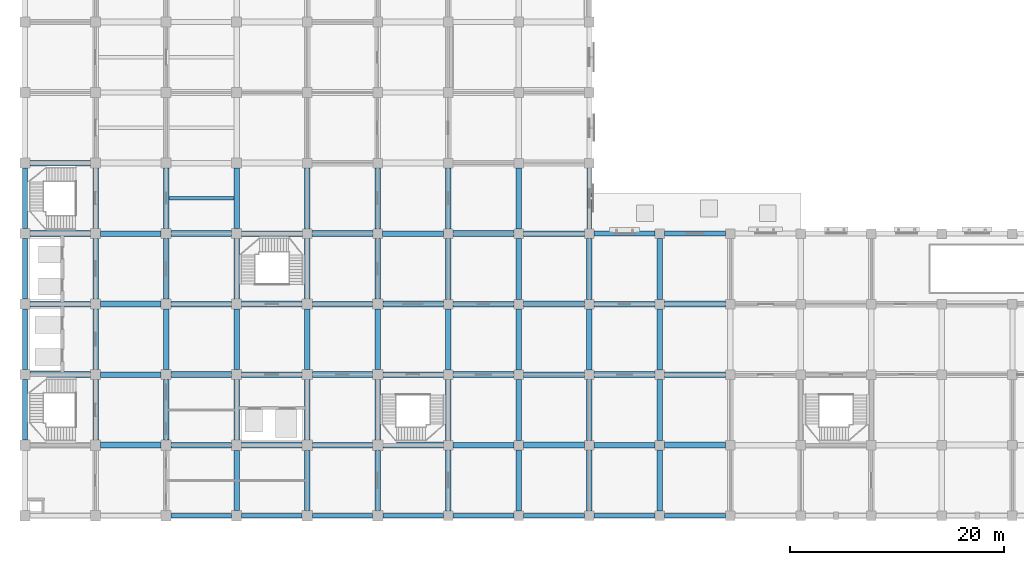
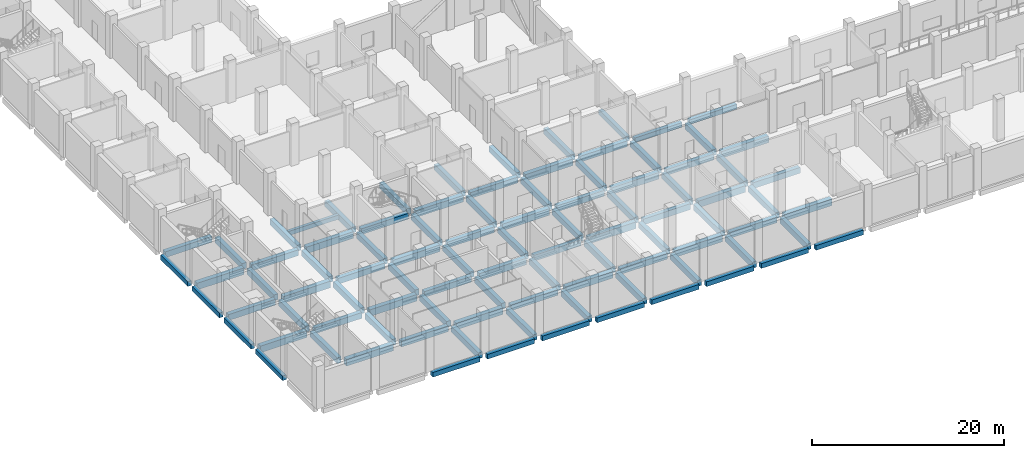
# One storey, part 2 of 28: 95 beams.
"""IFC4 building model written with IfcOpenShell, lengths in metres."""

from ifc_helpers import new_model, si_unit, direction, frame, origin, origin_2d, place, context, subcontext, project, spatial, rectangle, extrude, material, material_profile, profile_set, type_object, element, save


model = new_model("IFC4")

# Units and contexts
model_context = context("Model", 3, precision=1e-05, world=origin(), true_north=direction((0.0, 1.0)))
body_context = subcontext(model_context, "Body", "Model", "MODEL_VIEW")
ifc_project = project(units=[si_unit("LENGTHUNIT", "METRE"), si_unit("AREAUNIT", "SQUARE_METRE"), si_unit("VOLUMEUNIT", "CUBIC_METRE"), si_unit("PLANEANGLEUNIT", "RADIAN"), si_unit("MASSUNIT", "GRAM", prefix="KILO")], contexts=[model_context])

# Site, building, storey
site_placement = place(None, origin())
site = spatial("IfcSite", under=ifc_project, at=site_placement, CompositionType="ELEMENT")
building_placement = place(site_placement, origin())
building = spatial("IfcBuilding", under=site, at=building_placement, Name="Rusizi Kubbe Research Institute", CompositionType="ELEMENT")
storey_placement = place(building_placement, origin())
storey = spatial("IfcBuildingStorey", under=building, at=storey_placement, Name="L00", CompositionType="ELEMENT", Elevation=0.0)

# Beams
ifc_material_1 = material(Name="Concrete C40/50", Category="concrete")
ifc_material_profile_1 = material_profile(ifc_material_1, rectangle(XDim=0.35009765625, YDim=0.550048828125, at=origin_2d()), Name="RC350x550")
ifc_profile_set_1 = profile_set([ifc_material_profile_1], Name="Concrete C40/50")
beam_type_1 = type_object("IfcBeamType", Name="BM-RC350x550", PredefinedType="JOIST", material=ifc_profile_set_1)
beam_1_placement = place(storey_placement, frame((13.449951171875, 29.699951171875, -0.68505859375), z_axis=(1.0, 0.0, 0.0), x_axis=(0.0, 1.0, 0.0)))
element("IfcBeam", 1, at=beam_1_placement, inside=storey, type_object=beam_type_1, Name="Lab Stiffener Joist L00 (2,4)", PredefinedType="JOIST", context=body_context, shape_type="SweptSolid", body=[
    extrude(rectangle(XDim=0.35009765625, YDim=0.550048828125, at=origin_2d()), origin(), (0.0, 0.0, 1.0), 6.10009765625),
])
ifc_material_2 = material(Name="Concrete C40/50", Category="concrete")
ifc_material_profile_2 = material_profile(ifc_material_2, rectangle(XDim=0.449951171875, YDim=0.60009765625, at=origin_2d()), Name="RC450x600")
ifc_profile_set_2 = profile_set([ifc_material_profile_2], Name="Concrete C40/50")
beam_type_2 = type_object("IfcBeamType", Name="BM-RC450x600", PredefinedType="SPANDREL", material=ifc_profile_set_2)
beam_2_placement = place(storey_placement, frame((13.675048828125, 0.0, -0.7099609375), z_axis=(1.0, 0.0, 0.0), x_axis=(0.0, 1.0, 0.0)))
element("IfcBeam", 2, at=beam_2_placement, inside=storey, type_object=beam_type_2, Name="Grid Beam H L00 (2,0)", PredefinedType="SPANDREL", context=body_context, shape_type="SweptSolid", body=[
    extrude(rectangle(XDim=0.449951171875, YDim=0.60009765625, at=origin_2d()), origin(), (0.0, 0.0, 1.0), 5.64990234375),
])
beam_3_placement = place(storey_placement, frame((20.27490234375, 0.0, -0.7099609375), z_axis=(1.0, 0.0, 0.0), x_axis=(0.0, 1.0, 0.0)))
element("IfcBeam", 3, at=beam_3_placement, inside=storey, type_object=beam_type_2, Name="Grid Beam H L00 (3,0)", PredefinedType="SPANDREL", context=body_context, shape_type="SweptSolid", body=[
    extrude(rectangle(XDim=0.449951171875, YDim=0.60009765625, at=origin_2d()), origin(), (0.0, 0.0, 1.0), 5.650146484375),
])
beam_4_placement = place(storey_placement, frame((26.875, 0.0, -0.7099609375), z_axis=(1.0, 0.0, 0.0), x_axis=(0.0, 1.0, 0.0)))
element("IfcBeam", 4, at=beam_4_placement, inside=storey, type_object=beam_type_2, Name="Grid Beam H L00 (4,0)", PredefinedType="SPANDREL", context=body_context, shape_type="SweptSolid", body=[
    extrude(rectangle(XDim=0.449951171875, YDim=0.60009765625, at=origin_2d()), origin(), (0.0, 0.0, 1.0), 5.64990234375),
])
beam_5_placement = place(storey_placement, frame((33.47509765625, 0.0, -0.7099609375), z_axis=(1.0, 0.0, 0.0), x_axis=(0.0, 1.0, 0.0)))
element("IfcBeam", 5, at=beam_5_placement, inside=storey, type_object=beam_type_2, Name="Grid Beam H L00 (5,0)", PredefinedType="SPANDREL", context=body_context, shape_type="SweptSolid", body=[
    extrude(rectangle(XDim=0.449951171875, YDim=0.60009765625, at=origin_2d()), origin(), (0.0, 0.0, 1.0), 5.6748046875),
])
beam_6_placement = place(storey_placement, frame((40.050048828125, 0.0, -0.7099609375), z_axis=(1.0, 0.0, 0.0), x_axis=(0.0, 1.0, 0.0)))
element("IfcBeam", 6, at=beam_6_placement, inside=storey, type_object=beam_type_2, Name="Grid Beam H L00 (6,0)", PredefinedType="SPANDREL", context=body_context, shape_type="SweptSolid", body=[
    extrude(rectangle(XDim=0.449951171875, YDim=0.60009765625, at=origin_2d()), origin(), (0.0, 0.0, 1.0), 5.699951171875),
])
beam_7_placement = place(storey_placement, frame((46.64990234375, 0.0, -0.7099609375), z_axis=(1.0, 0.0, 0.0), x_axis=(0.0, 1.0, 0.0)))
element("IfcBeam", 7, at=beam_7_placement, inside=storey, type_object=beam_type_2, Name="Grid Beam H L00 (7,0)", PredefinedType="SPANDREL", context=body_context, shape_type="SweptSolid", body=[
    extrude(rectangle(XDim=0.449951171875, YDim=0.60009765625, at=origin_2d()), origin(), (0.0, 0.0, 1.0), 5.7001953125),
])
for number, where, z_axis, x_axis, name in (
    (8, (53.25, 0.0, -0.7099609375), (1.0, 0.0, 0.0), (0.0, 1.0, 0.0), "Grid Beam H L00 (8,0)"),
    (9, (53.25, 26.39990234375, -0.7099609375), (1.0, 0.0, 0.0), (0.0, 1.0, 0.0), "Grid Beam H L00 (8,4)"),
    (10, (59.85009765625, 0.0, -0.7099609375), (1.0, 0.0, 0.0), (0.0, 1.0, 0.0), "Grid Beam H L00 (9,0)"),
    (11, (59.85009765625, 26.39990234375, -0.7099609375), (1.0, 0.0, 0.0), (0.0, 1.0, 0.0), "Grid Beam H L00 (9,4)"),
):
    element("IfcBeam", number, at=place(storey_placement, frame(where, z_axis=z_axis, x_axis=x_axis)), inside=storey, type_object=beam_type_2, Name=name, PredefinedType="SPANDREL", context=body_context, shape_type="SweptSolid", body=[
        extrude(rectangle(XDim=0.449951171875, YDim=0.60009765625, at=origin_2d()), origin(), (0.0, 0.0, 1.0), 5.699951171875),
    ])
beam_8_placement = place(storey_placement, frame((0.0, 7.074951171875, -0.7099609375), z_axis=(0.0, 1.0, 0.0), x_axis=(-1.0, 0.0, 0.0)))
element("IfcBeam", 12, at=beam_8_placement, inside=storey, type_object=beam_type_2, Name="Grid Beam V L00 (0,1)", PredefinedType="SPANDREL", context=body_context, shape_type="SweptSolid", body=[
    extrude(rectangle(XDim=0.449951171875, YDim=0.60009765625, at=origin_2d()), origin(), (0.0, 0.0, 1.0), 5.650146484375),
])
beam_9_placement = place(storey_placement, frame((0.0, 13.675048828125, -0.7099609375), z_axis=(0.0, 1.0, 0.0), x_axis=(-1.0, 0.0, 0.0)))
element("IfcBeam", 13, at=beam_9_placement, inside=storey, type_object=beam_type_2, Name="Grid Beam V L00 (0,2)", PredefinedType="SPANDREL", context=body_context, shape_type="SweptSolid", body=[
    extrude(rectangle(XDim=0.449951171875, YDim=0.60009765625, at=origin_2d()), origin(), (0.0, 0.0, 1.0), 5.64990234375),
])
beam_10_placement = place(storey_placement, frame((0.0, 20.27490234375, -0.7099609375), z_axis=(0.0, 1.0, 0.0), x_axis=(-1.0, 0.0, 0.0)))
element("IfcBeam", 14, at=beam_10_placement, inside=storey, type_object=beam_type_2, Name="Grid Beam V L00 (0,3)", PredefinedType="SPANDREL", context=body_context, shape_type="SweptSolid", body=[
    extrude(rectangle(XDim=0.449951171875, YDim=0.60009765625, at=origin_2d()), origin(), (0.0, 0.0, 1.0), 5.650146484375),
])
beam_11_placement = place(storey_placement, frame((0.0, 26.875, -0.7099609375), z_axis=(0.0, 1.0, 0.0), x_axis=(-1.0, 0.0, 0.0)))
element("IfcBeam", 15, at=beam_11_placement, inside=storey, type_object=beam_type_2, Name="Grid Beam V L00 (0,4)", PredefinedType="SPANDREL", context=body_context, shape_type="SweptSolid", body=[
    extrude(rectangle(XDim=0.449951171875, YDim=0.60009765625, at=origin_2d()), origin(), (0.0, 0.0, 1.0), 5.64990234375),
])
beam_12_placement = place(storey_placement, frame((52.800048828125, 26.85009765625, -0.7099609375), z_axis=(0.0, 1.0, 0.0), x_axis=(-1.0, 0.0, 0.0)))
element("IfcBeam", 16, at=beam_12_placement, inside=storey, type_object=beam_type_2, Name="Grid Beam V L00 (8,4)", PredefinedType="SPANDREL", context=body_context, shape_type="SweptSolid", body=[
    extrude(rectangle(XDim=0.449951171875, YDim=0.60009765625, at=origin_2d()), origin(), (0.0, 0.0, 1.0), 5.699951171875),
])
ifc_material_3 = material(Name="Concrete C45/55", Category="concrete")
ifc_material_profile_3 = material_profile(ifc_material_3, rectangle(XDim=0.5, YDim=0.75, at=origin_2d()), Name="RC500x750B")
ifc_profile_set_3 = profile_set([ifc_material_profile_3], Name="Concrete C45/55")
beam_type_3 = type_object("IfcBeamType", Name="BM-RC500x750", PredefinedType="BEAM", material=ifc_profile_set_3)
for number, where, z_axis, x_axis, name in (
    (17, (0.47509765625, 19.800048828125, -0.784912109375), (1.0, 0.0, 0.0), (0.0, 1.0, 0.0), "Grid Beam H L00 (0,3)"),
    (18, (0.47509765625, 33.0, -0.784912109375), (1.0, 0.0, 0.0), (0.0, 1.0, 0.0), "Grid Beam H L00 (0,5)"),
):
    element("IfcBeam", number, at=place(storey_placement, frame(where, z_axis=z_axis, x_axis=x_axis)), inside=storey, type_object=beam_type_3, Name=name, PredefinedType="BEAM", context=body_context, shape_type="SweptSolid", body=[
        extrude(rectangle(XDim=0.5, YDim=0.75, at=origin_2d()), origin(), (0.0, 0.0, 1.0), 5.64990234375),
    ])
for number, where, z_axis, x_axis, name in (
    (19, (7.074951171875, 13.199951171875, -0.784912109375), (1.0, 0.0, 0.0), (0.0, 1.0, 0.0), "Grid Beam H L00 (1,2)"),
    (20, (7.074951171875, 26.39990234375, -0.784912109375), (1.0, 0.0, 0.0), (0.0, 1.0, 0.0), "Grid Beam H L00 (1,4)"),
):
    element("IfcBeam", number, at=place(storey_placement, frame(where, z_axis=z_axis, x_axis=x_axis)), inside=storey, type_object=beam_type_3, Name=name, PredefinedType="BEAM", context=body_context, shape_type="SweptSolid", body=[
        extrude(rectangle(XDim=0.5, YDim=0.75, at=origin_2d()), origin(), (0.0, 0.0, 1.0), 5.650146484375),
    ])
for number, where, z_axis, x_axis, name in (
    (21, (13.675048828125, 6.60009765625, -0.784912109375), (1.0, 0.0, 0.0), (0.0, 1.0, 0.0), "Grid Beam H L00 (2,1)"),
    (22, (13.675048828125, 19.800048828125, -0.784912109375), (1.0, 0.0, 0.0), (0.0, 1.0, 0.0), "Grid Beam H L00 (2,3)"),
):
    element("IfcBeam", number, at=place(storey_placement, frame(where, z_axis=z_axis, x_axis=x_axis)), inside=storey, type_object=beam_type_3, Name=name, PredefinedType="BEAM", context=body_context, shape_type="SweptSolid", body=[
        extrude(rectangle(XDim=0.5, YDim=0.75, at=origin_2d()), origin(), (0.0, 0.0, 1.0), 5.64990234375),
    ])
beam_13_placement = place(storey_placement, frame((20.27490234375, 13.199951171875, -0.784912109375), z_axis=(1.0, 0.0, 0.0), x_axis=(0.0, 1.0, 0.0)))
element("IfcBeam", 23, at=beam_13_placement, inside=storey, type_object=beam_type_3, Name="Grid Beam H L00 (3,2)", PredefinedType="BEAM", context=body_context, shape_type="SweptSolid", body=[
    extrude(rectangle(XDim=0.5, YDim=0.75, at=origin_2d()), origin(), (0.0, 0.0, 1.0), 5.650146484375),
])
beam_14_placement = place(storey_placement, frame((20.27490234375, 26.39990234375, -0.784912109375), z_axis=(1.0, 0.0, 0.0), x_axis=(0.0, 1.0, 0.0)))
element("IfcBeam", 24, at=beam_14_placement, inside=storey, type_object=beam_type_3, Name="Grid Beam H L00 (3,4)", PredefinedType="BEAM", context=body_context, shape_type="SweptSolid", body=[
    extrude(rectangle(XDim=0.5, YDim=0.75, at=origin_2d()), origin(), (0.0, 0.0, 1.0), 5.675048828125),
])
for number, where, z_axis, x_axis, name in (
    (25, (26.875, 6.60009765625, -0.784912109375), (1.0, 0.0, 0.0), (0.0, 1.0, 0.0), "Grid Beam H L00 (4,1)"),
    (26, (26.875, 19.800048828125, -0.784912109375), (1.0, 0.0, 0.0), (0.0, 1.0, 0.0), "Grid Beam H L00 (4,3)"),
):
    element("IfcBeam", number, at=place(storey_placement, frame(where, z_axis=z_axis, x_axis=x_axis)), inside=storey, type_object=beam_type_3, Name=name, PredefinedType="BEAM", context=body_context, shape_type="SweptSolid", body=[
        extrude(rectangle(XDim=0.5, YDim=0.75, at=origin_2d()), origin(), (0.0, 0.0, 1.0), 5.64990234375),
    ])
beam_15_placement = place(storey_placement, frame((33.47509765625, 13.199951171875, -0.784912109375), z_axis=(1.0, 0.0, 0.0), x_axis=(0.0, 1.0, 0.0)))
element("IfcBeam", 27, at=beam_15_placement, inside=storey, type_object=beam_type_3, Name="Grid Beam H L00 (5,2)", PredefinedType="BEAM", context=body_context, shape_type="SweptSolid", body=[
    extrude(rectangle(XDim=0.5, YDim=0.75, at=origin_2d()), origin(), (0.0, 0.0, 1.0), 5.6748046875),
])
for number, where, z_axis, x_axis, name in (
    (28, (33.449951171875, 26.39990234375, -0.784912109375), (1.0, 0.0, 0.0), (0.0, 1.0, 0.0), "Grid Beam H L00 (5,4)"),
    (29, (40.050048828125, 6.60009765625, -0.784912109375), (1.0, 0.0, 0.0), (0.0, 1.0, 0.0), "Grid Beam H L00 (6,1)"),
    (30, (40.050048828125, 19.800048828125, -0.784912109375), (1.0, 0.0, 0.0), (0.0, 1.0, 0.0), "Grid Beam H L00 (6,3)"),
):
    element("IfcBeam", number, at=place(storey_placement, frame(where, z_axis=z_axis, x_axis=x_axis)), inside=storey, type_object=beam_type_3, Name=name, PredefinedType="BEAM", context=body_context, shape_type="SweptSolid", body=[
        extrude(rectangle(XDim=0.5, YDim=0.75, at=origin_2d()), origin(), (0.0, 0.0, 1.0), 5.699951171875),
    ])
for number, where, z_axis, x_axis, name in (
    (31, (46.64990234375, 13.199951171875, -0.784912109375), (1.0, 0.0, 0.0), (0.0, 1.0, 0.0), "Grid Beam H L00 (7,2)"),
    (32, (46.64990234375, 26.39990234375, -0.784912109375), (1.0, 0.0, 0.0), (0.0, 1.0, 0.0), "Grid Beam H L00 (7,4)"),
):
    element("IfcBeam", number, at=place(storey_placement, frame(where, z_axis=z_axis, x_axis=x_axis)), inside=storey, type_object=beam_type_3, Name=name, PredefinedType="BEAM", context=body_context, shape_type="SweptSolid", body=[
        extrude(rectangle(XDim=0.5, YDim=0.75, at=origin_2d()), origin(), (0.0, 0.0, 1.0), 5.7001953125),
    ])
for number, where, z_axis, x_axis, name in (
    (33, (53.25, 6.60009765625, -0.784912109375), (1.0, 0.0, 0.0), (0.0, 1.0, 0.0), "Grid Beam H L00 (8,1)"),
    (34, (53.25, 19.800048828125, -0.784912109375), (1.0, 0.0, 0.0), (0.0, 1.0, 0.0), "Grid Beam H L00 (8,3)"),
    (35, (59.85009765625, 13.199951171875, -0.784912109375), (1.0, 0.0, 0.0), (0.0, 1.0, 0.0), "Grid Beam H L00 (9,2)"),
):
    element("IfcBeam", number, at=place(storey_placement, frame(where, z_axis=z_axis, x_axis=x_axis)), inside=storey, type_object=beam_type_3, Name=name, PredefinedType="BEAM", context=body_context, shape_type="SweptSolid", body=[
        extrude(rectangle(XDim=0.5, YDim=0.75, at=origin_2d()), origin(), (0.0, 0.0, 1.0), 5.699951171875),
    ])
beam_16_placement = place(storey_placement, frame((6.60009765625, 7.074951171875, -0.784912109375), z_axis=(0.0, 1.0, 0.0), x_axis=(-1.0, 0.0, 0.0)))
element("IfcBeam", 36, at=beam_16_placement, inside=storey, type_object=beam_type_3, Name="Grid Beam V L00 (1,1)", PredefinedType="BEAM", context=body_context, shape_type="SweptSolid", body=[
    extrude(rectangle(XDim=0.5, YDim=0.75, at=origin_2d()), origin(), (0.0, 0.0, 1.0), 5.650146484375),
])
beam_17_placement = place(storey_placement, frame((6.60009765625, 13.675048828125, -0.784912109375), z_axis=(0.0, 1.0, 0.0), x_axis=(-1.0, 0.0, 0.0)))
element("IfcBeam", 37, at=beam_17_placement, inside=storey, type_object=beam_type_3, Name="Grid Beam V L00 (1,2)", PredefinedType="BEAM", context=body_context, shape_type="SweptSolid", body=[
    extrude(rectangle(XDim=0.5, YDim=0.75, at=origin_2d()), origin(), (0.0, 0.0, 1.0), 5.64990234375),
])
beam_18_placement = place(storey_placement, frame((6.60009765625, 20.27490234375, -0.784912109375), z_axis=(0.0, 1.0, 0.0), x_axis=(-1.0, 0.0, 0.0)))
element("IfcBeam", 38, at=beam_18_placement, inside=storey, type_object=beam_type_3, Name="Grid Beam V L00 (1,3)", PredefinedType="BEAM", context=body_context, shape_type="SweptSolid", body=[
    extrude(rectangle(XDim=0.5, YDim=0.75, at=origin_2d()), origin(), (0.0, 0.0, 1.0), 5.650146484375),
])
beam_19_placement = place(storey_placement, frame((6.60009765625, 26.875, -0.784912109375), z_axis=(0.0, 1.0, 0.0), x_axis=(-1.0, 0.0, 0.0)))
element("IfcBeam", 39, at=beam_19_placement, inside=storey, type_object=beam_type_3, Name="Grid Beam V L00 (1,4)", PredefinedType="BEAM", context=body_context, shape_type="SweptSolid", body=[
    extrude(rectangle(XDim=0.5, YDim=0.75, at=origin_2d()), origin(), (0.0, 0.0, 1.0), 5.64990234375),
])
beam_20_placement = place(storey_placement, frame((13.199951171875, 7.074951171875, -0.784912109375), z_axis=(0.0, 1.0, 0.0), x_axis=(-1.0, 0.0, 0.0)))
element("IfcBeam", 40, at=beam_20_placement, inside=storey, type_object=beam_type_3, Name="Grid Beam V L00 (2,1)", PredefinedType="BEAM", context=body_context, shape_type="SweptSolid", body=[
    extrude(rectangle(XDim=0.5, YDim=0.75, at=origin_2d()), origin(), (0.0, 0.0, 1.0), 5.650146484375),
])
beam_21_placement = place(storey_placement, frame((13.199951171875, 13.675048828125, -0.784912109375), z_axis=(0.0, 1.0, 0.0), x_axis=(-1.0, 0.0, 0.0)))
element("IfcBeam", 41, at=beam_21_placement, inside=storey, type_object=beam_type_3, Name="Grid Beam V L00 (2,2)", PredefinedType="BEAM", context=body_context, shape_type="SweptSolid", body=[
    extrude(rectangle(XDim=0.5, YDim=0.75, at=origin_2d()), origin(), (0.0, 0.0, 1.0), 5.64990234375),
])
beam_22_placement = place(storey_placement, frame((13.199951171875, 20.27490234375, -0.784912109375), z_axis=(0.0, 1.0, 0.0), x_axis=(-1.0, 0.0, 0.0)))
element("IfcBeam", 42, at=beam_22_placement, inside=storey, type_object=beam_type_3, Name="Grid Beam V L00 (2,3)", PredefinedType="BEAM", context=body_context, shape_type="SweptSolid", body=[
    extrude(rectangle(XDim=0.5, YDim=0.75, at=origin_2d()), origin(), (0.0, 0.0, 1.0), 5.650146484375),
])
for number, where, z_axis, x_axis, name in (
    (43, (13.199951171875, 26.875, -0.784912109375), (0.0, 1.0, 0.0), (-1.0, 0.0, 0.0), "Grid Beam V L00 (2,4)"),
    (44, (19.800048828125, 0.47509765625, -0.784912109375), (0.0, 1.0, 0.0), (-1.0, 0.0, 0.0), "Grid Beam V L00 (3,0)"),
):
    element("IfcBeam", number, at=place(storey_placement, frame(where, z_axis=z_axis, x_axis=x_axis)), inside=storey, type_object=beam_type_3, Name=name, PredefinedType="BEAM", context=body_context, shape_type="SweptSolid", body=[
        extrude(rectangle(XDim=0.5, YDim=0.75, at=origin_2d()), origin(), (0.0, 0.0, 1.0), 5.64990234375),
    ])
beam_23_placement = place(storey_placement, frame((19.800048828125, 7.074951171875, -0.784912109375), z_axis=(0.0, 1.0, 0.0), x_axis=(-1.0, 0.0, 0.0)))
element("IfcBeam", 45, at=beam_23_placement, inside=storey, type_object=beam_type_3, Name="Grid Beam V L00 (3,1)", PredefinedType="BEAM", context=body_context, shape_type="SweptSolid", body=[
    extrude(rectangle(XDim=0.5, YDim=0.75, at=origin_2d()), origin(), (0.0, 0.0, 1.0), 5.650146484375),
])
beam_24_placement = place(storey_placement, frame((19.800048828125, 13.675048828125, -0.784912109375), z_axis=(0.0, 1.0, 0.0), x_axis=(-1.0, 0.0, 0.0)))
element("IfcBeam", 46, at=beam_24_placement, inside=storey, type_object=beam_type_3, Name="Grid Beam V L00 (3,2)", PredefinedType="BEAM", context=body_context, shape_type="SweptSolid", body=[
    extrude(rectangle(XDim=0.5, YDim=0.75, at=origin_2d()), origin(), (0.0, 0.0, 1.0), 5.64990234375),
])
beam_25_placement = place(storey_placement, frame((19.800048828125, 20.27490234375, -0.784912109375), z_axis=(0.0, 1.0, 0.0), x_axis=(-1.0, 0.0, 0.0)))
element("IfcBeam", 47, at=beam_25_placement, inside=storey, type_object=beam_type_3, Name="Grid Beam V L00 (3,3)", PredefinedType="BEAM", context=body_context, shape_type="SweptSolid", body=[
    extrude(rectangle(XDim=0.5, YDim=0.75, at=origin_2d()), origin(), (0.0, 0.0, 1.0), 5.650146484375),
])
for number, where, z_axis, x_axis, name in (
    (48, (19.800048828125, 26.875, -0.784912109375), (0.0, 1.0, 0.0), (-1.0, 0.0, 0.0), "Grid Beam V L00 (3,4)"),
    (49, (26.39990234375, 0.47509765625, -0.784912109375), (0.0, 1.0, 0.0), (-1.0, 0.0, 0.0), "Grid Beam V L00 (4,0)"),
):
    element("IfcBeam", number, at=place(storey_placement, frame(where, z_axis=z_axis, x_axis=x_axis)), inside=storey, type_object=beam_type_3, Name=name, PredefinedType="BEAM", context=body_context, shape_type="SweptSolid", body=[
        extrude(rectangle(XDim=0.5, YDim=0.75, at=origin_2d()), origin(), (0.0, 0.0, 1.0), 5.64990234375),
    ])
beam_26_placement = place(storey_placement, frame((26.39990234375, 7.074951171875, -0.784912109375), z_axis=(0.0, 1.0, 0.0), x_axis=(-1.0, 0.0, 0.0)))
element("IfcBeam", 50, at=beam_26_placement, inside=storey, type_object=beam_type_3, Name="Grid Beam V L00 (4,1)", PredefinedType="BEAM", context=body_context, shape_type="SweptSolid", body=[
    extrude(rectangle(XDim=0.5, YDim=0.75, at=origin_2d()), origin(), (0.0, 0.0, 1.0), 5.650146484375),
])
beam_27_placement = place(storey_placement, frame((26.39990234375, 13.675048828125, -0.784912109375), z_axis=(0.0, 1.0, 0.0), x_axis=(-1.0, 0.0, 0.0)))
element("IfcBeam", 51, at=beam_27_placement, inside=storey, type_object=beam_type_3, Name="Grid Beam V L00 (4,2)", PredefinedType="BEAM", context=body_context, shape_type="SweptSolid", body=[
    extrude(rectangle(XDim=0.5, YDim=0.75, at=origin_2d()), origin(), (0.0, 0.0, 1.0), 5.64990234375),
])
beam_28_placement = place(storey_placement, frame((26.39990234375, 20.27490234375, -0.784912109375), z_axis=(0.0, 1.0, 0.0), x_axis=(-1.0, 0.0, 0.0)))
element("IfcBeam", 52, at=beam_28_placement, inside=storey, type_object=beam_type_3, Name="Grid Beam V L00 (4,3)", PredefinedType="BEAM", context=body_context, shape_type="SweptSolid", body=[
    extrude(rectangle(XDim=0.5, YDim=0.75, at=origin_2d()), origin(), (0.0, 0.0, 1.0), 5.675048828125),
])
beam_29_placement = place(storey_placement, frame((26.39990234375, 26.85009765625, -0.784912109375), z_axis=(0.0, 1.0, 0.0), x_axis=(-1.0, 0.0, 0.0)))
element("IfcBeam", 53, at=beam_29_placement, inside=storey, type_object=beam_type_3, Name="Grid Beam V L00 (4,4)", PredefinedType="BEAM", context=body_context, shape_type="SweptSolid", body=[
    extrude(rectangle(XDim=0.5, YDim=0.75, at=origin_2d()), origin(), (0.0, 0.0, 1.0), 5.699951171875),
])
beam_30_placement = place(storey_placement, frame((33.0, 0.47509765625, -0.784912109375), z_axis=(0.0, 1.0, 0.0), x_axis=(-1.0, 0.0, 0.0)))
element("IfcBeam", 54, at=beam_30_placement, inside=storey, type_object=beam_type_3, Name="Grid Beam V L00 (5,0)", PredefinedType="BEAM", context=body_context, shape_type="SweptSolid", body=[
    extrude(rectangle(XDim=0.5, YDim=0.75, at=origin_2d()), origin(), (0.0, 0.0, 1.0), 5.64990234375),
])
beam_31_placement = place(storey_placement, frame((33.0, 7.074951171875, -0.784912109375), z_axis=(0.0, 1.0, 0.0), x_axis=(-1.0, 0.0, 0.0)))
element("IfcBeam", 55, at=beam_31_placement, inside=storey, type_object=beam_type_3, Name="Grid Beam V L00 (5,1)", PredefinedType="BEAM", context=body_context, shape_type="SweptSolid", body=[
    extrude(rectangle(XDim=0.5, YDim=0.75, at=origin_2d()), origin(), (0.0, 0.0, 1.0), 5.650146484375),
])
beam_32_placement = place(storey_placement, frame((33.0, 13.675048828125, -0.784912109375), z_axis=(0.0, 1.0, 0.0), x_axis=(-1.0, 0.0, 0.0)))
element("IfcBeam", 56, at=beam_32_placement, inside=storey, type_object=beam_type_3, Name="Grid Beam V L00 (5,2)", PredefinedType="BEAM", context=body_context, shape_type="SweptSolid", body=[
    extrude(rectangle(XDim=0.5, YDim=0.75, at=origin_2d()), origin(), (0.0, 0.0, 1.0), 5.64990234375),
])
beam_33_placement = place(storey_placement, frame((33.0, 20.27490234375, -0.784912109375), z_axis=(0.0, 1.0, 0.0), x_axis=(-1.0, 0.0, 0.0)))
element("IfcBeam", 57, at=beam_33_placement, inside=storey, type_object=beam_type_3, Name="Grid Beam V L00 (5,3)", PredefinedType="BEAM", context=body_context, shape_type="SweptSolid", body=[
    extrude(rectangle(XDim=0.5, YDim=0.75, at=origin_2d()), origin(), (0.0, 0.0, 1.0), 5.675048828125),
])
for number, where, z_axis, x_axis, name in (
    (58, (33.0, 26.85009765625, -0.784912109375), (0.0, 1.0, 0.0), (-1.0, 0.0, 0.0), "Grid Beam V L00 (5,4)"),
    (59, (39.60009765625, 0.449951171875, -0.784912109375), (0.0, 1.0, 0.0), (-1.0, 0.0, 0.0), "Grid Beam V L00 (6,0)"),
    (60, (39.60009765625, 7.050048828125, -0.784912109375), (0.0, 1.0, 0.0), (-1.0, 0.0, 0.0), "Grid Beam V L00 (6,1)"),
):
    element("IfcBeam", number, at=place(storey_placement, frame(where, z_axis=z_axis, x_axis=x_axis)), inside=storey, type_object=beam_type_3, Name=name, PredefinedType="BEAM", context=body_context, shape_type="SweptSolid", body=[
        extrude(rectangle(XDim=0.5, YDim=0.75, at=origin_2d()), origin(), (0.0, 0.0, 1.0), 5.699951171875),
    ])
beam_34_placement = place(storey_placement, frame((39.60009765625, 13.64990234375, -0.784912109375), z_axis=(0.0, 1.0, 0.0), x_axis=(-1.0, 0.0, 0.0)))
element("IfcBeam", 61, at=beam_34_placement, inside=storey, type_object=beam_type_3, Name="Grid Beam V L00 (6,2)", PredefinedType="BEAM", context=body_context, shape_type="SweptSolid", body=[
    extrude(rectangle(XDim=0.5, YDim=0.75, at=origin_2d()), origin(), (0.0, 0.0, 1.0), 5.7001953125),
])
for number, where, z_axis, x_axis, name in (
    (62, (39.60009765625, 20.25, -0.784912109375), (0.0, 1.0, 0.0), (-1.0, 0.0, 0.0), "Grid Beam V L00 (6,3)"),
    (63, (39.60009765625, 26.85009765625, -0.784912109375), (0.0, 1.0, 0.0), (-1.0, 0.0, 0.0), "Grid Beam V L00 (6,4)"),
    (64, (46.199951171875, 0.449951171875, -0.784912109375), (0.0, 1.0, 0.0), (-1.0, 0.0, 0.0), "Grid Beam V L00 (7,0)"),
    (65, (46.199951171875, 7.050048828125, -0.784912109375), (0.0, 1.0, 0.0), (-1.0, 0.0, 0.0), "Grid Beam V L00 (7,1)"),
):
    element("IfcBeam", number, at=place(storey_placement, frame(where, z_axis=z_axis, x_axis=x_axis)), inside=storey, type_object=beam_type_3, Name=name, PredefinedType="BEAM", context=body_context, shape_type="SweptSolid", body=[
        extrude(rectangle(XDim=0.5, YDim=0.75, at=origin_2d()), origin(), (0.0, 0.0, 1.0), 5.699951171875),
    ])
beam_35_placement = place(storey_placement, frame((46.199951171875, 13.64990234375, -0.784912109375), z_axis=(0.0, 1.0, 0.0), x_axis=(-1.0, 0.0, 0.0)))
element("IfcBeam", 66, at=beam_35_placement, inside=storey, type_object=beam_type_3, Name="Grid Beam V L00 (7,2)", PredefinedType="BEAM", context=body_context, shape_type="SweptSolid", body=[
    extrude(rectangle(XDim=0.5, YDim=0.75, at=origin_2d()), origin(), (0.0, 0.0, 1.0), 5.7001953125),
])
for number, where, z_axis, x_axis, name in (
    (67, (46.199951171875, 20.25, -0.784912109375), (0.0, 1.0, 0.0), (-1.0, 0.0, 0.0), "Grid Beam V L00 (7,3)"),
    (68, (46.199951171875, 26.85009765625, -0.784912109375), (0.0, 1.0, 0.0), (-1.0, 0.0, 0.0), "Grid Beam V L00 (7,4)"),
    (69, (52.800048828125, 0.449951171875, -0.784912109375), (0.0, 1.0, 0.0), (-1.0, 0.0, 0.0), "Grid Beam V L00 (8,0)"),
    (70, (52.800048828125, 7.050048828125, -0.784912109375), (0.0, 1.0, 0.0), (-1.0, 0.0, 0.0), "Grid Beam V L00 (8,1)"),
):
    element("IfcBeam", number, at=place(storey_placement, frame(where, z_axis=z_axis, x_axis=x_axis)), inside=storey, type_object=beam_type_3, Name=name, PredefinedType="BEAM", context=body_context, shape_type="SweptSolid", body=[
        extrude(rectangle(XDim=0.5, YDim=0.75, at=origin_2d()), origin(), (0.0, 0.0, 1.0), 5.699951171875),
    ])
beam_36_placement = place(storey_placement, frame((52.800048828125, 13.64990234375, -0.784912109375), z_axis=(0.0, 1.0, 0.0), x_axis=(-1.0, 0.0, 0.0)))
element("IfcBeam", 71, at=beam_36_placement, inside=storey, type_object=beam_type_3, Name="Grid Beam V L00 (8,2)", PredefinedType="BEAM", context=body_context, shape_type="SweptSolid", body=[
    extrude(rectangle(XDim=0.5, YDim=0.75, at=origin_2d()), origin(), (0.0, 0.0, 1.0), 5.7001953125),
])
for number, where, z_axis, x_axis, name in (
    (72, (52.800048828125, 20.25, -0.784912109375), (0.0, 1.0, 0.0), (-1.0, 0.0, 0.0), "Grid Beam V L00 (8,3)"),
    (73, (59.39990234375, 0.449951171875, -0.784912109375), (0.0, 1.0, 0.0), (-1.0, 0.0, 0.0), "Grid Beam V L00 (9,0)"),
    (74, (59.39990234375, 7.050048828125, -0.784912109375), (0.0, 1.0, 0.0), (-1.0, 0.0, 0.0), "Grid Beam V L00 (9,1)"),
):
    element("IfcBeam", number, at=place(storey_placement, frame(where, z_axis=z_axis, x_axis=x_axis)), inside=storey, type_object=beam_type_3, Name=name, PredefinedType="BEAM", context=body_context, shape_type="SweptSolid", body=[
        extrude(rectangle(XDim=0.5, YDim=0.75, at=origin_2d()), origin(), (0.0, 0.0, 1.0), 5.699951171875),
    ])
beam_37_placement = place(storey_placement, frame((59.39990234375, 13.64990234375, -0.784912109375), z_axis=(0.0, 1.0, 0.0), x_axis=(-1.0, 0.0, 0.0)))
element("IfcBeam", 75, at=beam_37_placement, inside=storey, type_object=beam_type_3, Name="Grid Beam V L00 (9,2)", PredefinedType="BEAM", context=body_context, shape_type="SweptSolid", body=[
    extrude(rectangle(XDim=0.5, YDim=0.75, at=origin_2d()), origin(), (0.0, 0.0, 1.0), 5.7001953125),
])
beam_38_placement = place(storey_placement, frame((59.39990234375, 20.25, -0.784912109375), z_axis=(0.0, 1.0, 0.0), x_axis=(-1.0, 0.0, 0.0)))
element("IfcBeam", 76, at=beam_38_placement, inside=storey, type_object=beam_type_3, Name="Grid Beam V L00 (9,3)", PredefinedType="BEAM", context=body_context, shape_type="SweptSolid", body=[
    extrude(rectangle(XDim=0.5, YDim=0.75, at=origin_2d()), origin(), (0.0, 0.0, 1.0), 5.699951171875),
])
ifc_material_4 = material(Name="Concrete C45/55", Category="concrete")
ifc_material_profile_4 = material_profile(ifc_material_4, rectangle(XDim=0.550048828125, YDim=0.85009765625, at=origin_2d()), Name="RC550x850")
ifc_profile_set_4 = profile_set([ifc_material_profile_4], Name="Concrete C45/55")
beam_type_4 = type_object("IfcBeamType", Name="BM-RC550x850", PredefinedType="BEAM", material=ifc_profile_set_4)
for number, where, z_axis, x_axis, name in (
    (77, (0.47509765625, 13.199951171875, -0.8349609375), (1.0, 0.0, 0.0), (0.0, 1.0, 0.0), "Grid Beam H L00 (0,2)"),
    (78, (0.47509765625, 26.39990234375, -0.8349609375), (1.0, 0.0, 0.0), (0.0, 1.0, 0.0), "Grid Beam H L00 (0,4)"),
):
    element("IfcBeam", number, at=place(storey_placement, frame(where, z_axis=z_axis, x_axis=x_axis)), inside=storey, type_object=beam_type_4, Name=name, PredefinedType="BEAM", context=body_context, shape_type="SweptSolid", body=[
        extrude(rectangle(XDim=0.550048828125, YDim=0.85009765625, at=origin_2d()), origin(), (0.0, 0.0, 1.0), 5.64990234375),
    ])
for number, where, z_axis, x_axis, name in (
    (79, (7.074951171875, 6.60009765625, -0.8349609375), (1.0, 0.0, 0.0), (0.0, 1.0, 0.0), "Grid Beam H L00 (1,1)"),
    (80, (7.074951171875, 19.800048828125, -0.8349609375), (1.0, 0.0, 0.0), (0.0, 1.0, 0.0), "Grid Beam H L00 (1,3)"),
):
    element("IfcBeam", number, at=place(storey_placement, frame(where, z_axis=z_axis, x_axis=x_axis)), inside=storey, type_object=beam_type_4, Name=name, PredefinedType="BEAM", context=body_context, shape_type="SweptSolid", body=[
        extrude(rectangle(XDim=0.550048828125, YDim=0.85009765625, at=origin_2d()), origin(), (0.0, 0.0, 1.0), 5.650146484375),
    ])
for number, where, z_axis, x_axis, name in (
    (81, (13.675048828125, 13.199951171875, -0.8349609375), (1.0, 0.0, 0.0), (0.0, 1.0, 0.0), "Grid Beam H L00 (2,2)"),
    (82, (13.675048828125, 26.39990234375, -0.8349609375), (1.0, 0.0, 0.0), (0.0, 1.0, 0.0), "Grid Beam H L00 (2,4)"),
):
    element("IfcBeam", number, at=place(storey_placement, frame(where, z_axis=z_axis, x_axis=x_axis)), inside=storey, type_object=beam_type_4, Name=name, PredefinedType="BEAM", context=body_context, shape_type="SweptSolid", body=[
        extrude(rectangle(XDim=0.550048828125, YDim=0.85009765625, at=origin_2d()), origin(), (0.0, 0.0, 1.0), 5.64990234375),
    ])
for number, where, z_axis, x_axis, name in (
    (83, (20.27490234375, 6.60009765625, -0.8349609375), (1.0, 0.0, 0.0), (0.0, 1.0, 0.0), "Grid Beam H L00 (3,1)"),
    (84, (20.27490234375, 19.800048828125, -0.8349609375), (1.0, 0.0, 0.0), (0.0, 1.0, 0.0), "Grid Beam H L00 (3,3)"),
):
    element("IfcBeam", number, at=place(storey_placement, frame(where, z_axis=z_axis, x_axis=x_axis)), inside=storey, type_object=beam_type_4, Name=name, PredefinedType="BEAM", context=body_context, shape_type="SweptSolid", body=[
        extrude(rectangle(XDim=0.550048828125, YDim=0.85009765625, at=origin_2d()), origin(), (0.0, 0.0, 1.0), 5.650146484375),
    ])
beam_39_placement = place(storey_placement, frame((26.875, 13.199951171875, -0.8349609375), z_axis=(1.0, 0.0, 0.0), x_axis=(0.0, 1.0, 0.0)))
element("IfcBeam", 85, at=beam_39_placement, inside=storey, type_object=beam_type_4, Name="Grid Beam H L00 (4,2)", PredefinedType="BEAM", context=body_context, shape_type="SweptSolid", body=[
    extrude(rectangle(XDim=0.550048828125, YDim=0.85009765625, at=origin_2d()), origin(), (0.0, 0.0, 1.0), 5.64990234375),
])
beam_40_placement = place(storey_placement, frame((26.85009765625, 26.39990234375, -0.8349609375), z_axis=(1.0, 0.0, 0.0), x_axis=(0.0, 1.0, 0.0)))
element("IfcBeam", 86, at=beam_40_placement, inside=storey, type_object=beam_type_4, Name="Grid Beam H L00 (4,4)", PredefinedType="BEAM", context=body_context, shape_type="SweptSolid", body=[
    extrude(rectangle(XDim=0.550048828125, YDim=0.85009765625, at=origin_2d()), origin(), (0.0, 0.0, 1.0), 5.699951171875),
])
for number, where, z_axis, x_axis, name in (
    (87, (33.47509765625, 6.60009765625, -0.8349609375), (1.0, 0.0, 0.0), (0.0, 1.0, 0.0), "Grid Beam H L00 (5,1)"),
    (88, (33.47509765625, 19.800048828125, -0.8349609375), (1.0, 0.0, 0.0), (0.0, 1.0, 0.0), "Grid Beam H L00 (5,3)"),
):
    element("IfcBeam", number, at=place(storey_placement, frame(where, z_axis=z_axis, x_axis=x_axis)), inside=storey, type_object=beam_type_4, Name=name, PredefinedType="BEAM", context=body_context, shape_type="SweptSolid", body=[
        extrude(rectangle(XDim=0.550048828125, YDim=0.85009765625, at=origin_2d()), origin(), (0.0, 0.0, 1.0), 5.6748046875),
    ])
for number, where, z_axis, x_axis, name in (
    (89, (40.050048828125, 13.199951171875, -0.8349609375), (1.0, 0.0, 0.0), (0.0, 1.0, 0.0), "Grid Beam H L00 (6,2)"),
    (90, (40.050048828125, 26.39990234375, -0.8349609375), (1.0, 0.0, 0.0), (0.0, 1.0, 0.0), "Grid Beam H L00 (6,4)"),
):
    element("IfcBeam", number, at=place(storey_placement, frame(where, z_axis=z_axis, x_axis=x_axis)), inside=storey, type_object=beam_type_4, Name=name, PredefinedType="BEAM", context=body_context, shape_type="SweptSolid", body=[
        extrude(rectangle(XDim=0.550048828125, YDim=0.85009765625, at=origin_2d()), origin(), (0.0, 0.0, 1.0), 5.699951171875),
    ])
for number, where, z_axis, x_axis, name in (
    (91, (46.64990234375, 6.60009765625, -0.8349609375), (1.0, 0.0, 0.0), (0.0, 1.0, 0.0), "Grid Beam H L00 (7,1)"),
    (92, (46.64990234375, 19.800048828125, -0.8349609375), (1.0, 0.0, 0.0), (0.0, 1.0, 0.0), "Grid Beam H L00 (7,3)"),
):
    element("IfcBeam", number, at=place(storey_placement, frame(where, z_axis=z_axis, x_axis=x_axis)), inside=storey, type_object=beam_type_4, Name=name, PredefinedType="BEAM", context=body_context, shape_type="SweptSolid", body=[
        extrude(rectangle(XDim=0.550048828125, YDim=0.85009765625, at=origin_2d()), origin(), (0.0, 0.0, 1.0), 5.7001953125),
    ])
for number, where, z_axis, x_axis, name in (
    (93, (53.25, 13.199951171875, -0.8349609375), (1.0, 0.0, 0.0), (0.0, 1.0, 0.0), "Grid Beam H L00 (8,2)"),
    (94, (59.85009765625, 6.60009765625, -0.8349609375), (1.0, 0.0, 0.0), (0.0, 1.0, 0.0), "Grid Beam H L00 (9,1)"),
    (95, (59.85009765625, 19.800048828125, -0.8349609375), (1.0, 0.0, 0.0), (0.0, 1.0, 0.0), "Grid Beam H L00 (9,3)"),
):
    element("IfcBeam", number, at=place(storey_placement, frame(where, z_axis=z_axis, x_axis=x_axis)), inside=storey, type_object=beam_type_4, Name=name, PredefinedType="BEAM", context=body_context, shape_type="SweptSolid", body=[
        extrude(rectangle(XDim=0.550048828125, YDim=0.85009765625, at=origin_2d()), origin(), (0.0, 0.0, 1.0), 5.699951171875),
    ])

save(model, "model.ifc")
